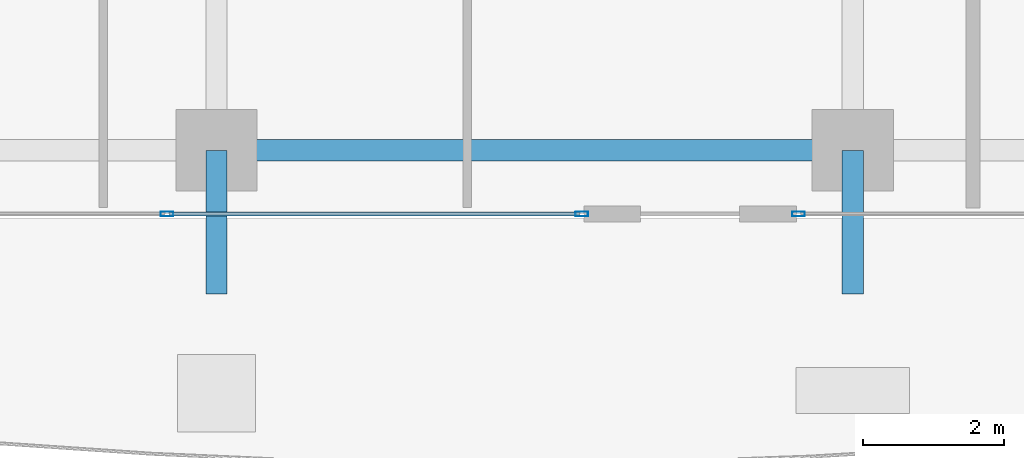
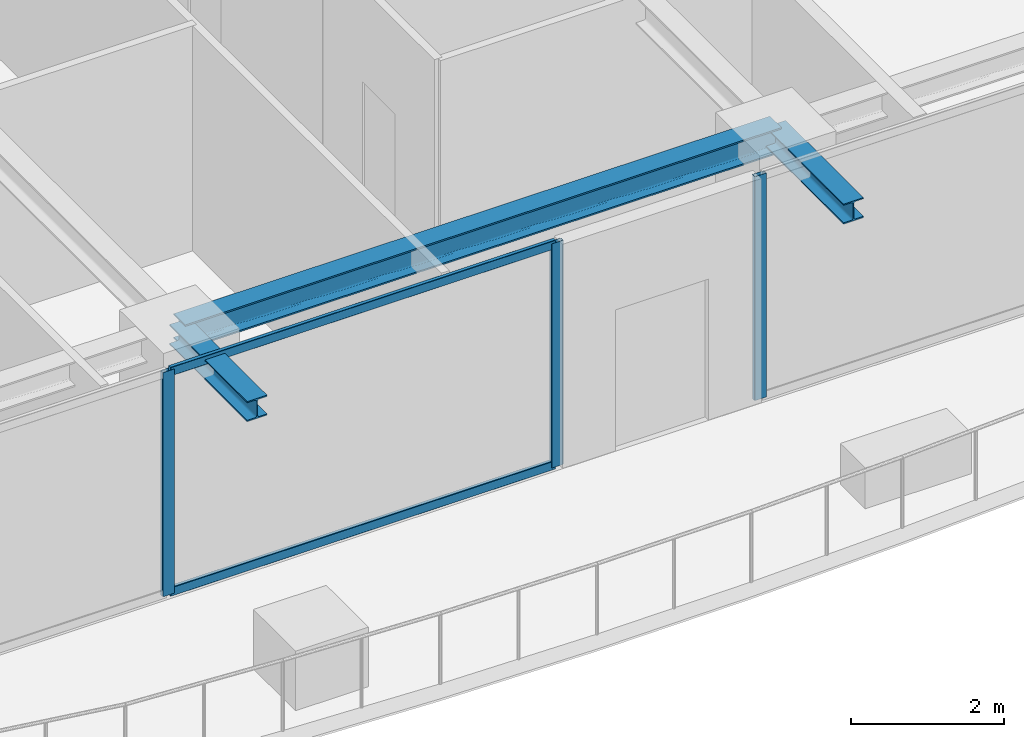
# One storey, part 5 of 38: 5 members, 3 beams, 2 elements without a shape of their own.
"""IFC4 building model written with IfcOpenShell, lengths in metres."""

import ifcopenshell
import ifcopenshell.guid

model = None  # the IFC model being written
_history = None  # IfcOwnerHistory: only IFC2X3 demands one
_inside = {}  # id of a spatial element -> (the spatial element, [elements in it])
_under = {}  # id of a project, library or spatial element -> (it, [spatial elements below it])
_declared = {}  # id of a project -> (the project, [libraries it declares])
_typed = {}  # id of a type object -> (the type object, [elements of that type])
_made_of = {}  # id of a material, layer set ... -> (it, [elements and type objects made of it])


def new_model(schema):
    """Start an empty IFC model of exactly this schema.

    Asked for "IFC4X3", IfcOpenShell would pick the latest addendum, in which some entities
    have other attributes; the version numbers below select the first issue.
    IFC2X3 requires an IfcOwnerHistory on every rooted entity: one is made here for all.
    """
    global model, _history
    if schema == "IFC4X3":
        model = ifcopenshell.file(schema_version=(4, 3, 0, 0))
    else:
        model = ifcopenshell.file(schema=schema)
    _inside.clear()
    _under.clear()
    _declared.clear()
    _typed.clear()
    _made_of.clear()
    _history = None
    if model.schema == "IFC2X3":
        org = make("IfcOrganization", Name="unknown")
        user = make(
            "IfcPersonAndOrganization",
            ThePerson=make("IfcPerson", FamilyName="unknown"),
            TheOrganization=org,
        )
        app = make(
            "IfcApplication",
            ApplicationDeveloper=org,
            Version="unknown",
            ApplicationFullName="unknown",
            ApplicationIdentifier="unknown",
        )
        _history = make(
            "IfcOwnerHistory",
            OwningUser=user,
            OwningApplication=app,
            ChangeAction="ADDED",
            CreationDate=0,
        )
    return model


def make(cls, **values):
    """One entity of the class cls with the attributes given. An attribute that is None is left unset."""
    return model.create_entity(
        cls, **{name: value for name, value in values.items() if value is not None}
    )


def rooted(cls, **values):
    """An entity with a GlobalId (a new one), such as an element, a storey or a relation."""
    return make(cls, GlobalId=ifcopenshell.guid.new(), OwnerHistory=_history, **values)


def si_unit(unit_type, name, prefix=None):
    """IfcSIUnit, for example si_unit("LENGTHUNIT", "METRE", prefix="MILLI")."""
    return make("IfcSIUnit", UnitType=unit_type, Prefix=prefix, Name=name)


def assignment(units):
    """IfcUnitAssignment: the units of a project."""
    return None if units is None else make("IfcUnitAssignment", Units=units)


def point(xyz):
    """IfcCartesianPoint."""
    return None if xyz is None else make("IfcCartesianPoint", Coordinates=xyz)


def direction(xyz):
    """IfcDirection."""
    return None if xyz is None else make("IfcDirection", DirectionRatios=xyz)


def frame(location, z_axis=None, x_axis=None):
    """IfcAxis2Placement3D, a coordinate frame: its origin and axes. An axis left out is left unset."""
    return make(
        "IfcAxis2Placement3D",
        Location=point(location),
        Axis=direction(z_axis),
        RefDirection=direction(x_axis),
    )


def frame_2d(location, x_axis=None):
    """IfcAxis2Placement2D, a coordinate frame in the plane: its origin and x axis."""
    return make(
        "IfcAxis2Placement2D", Location=point(location), RefDirection=direction(x_axis)
    )


def origin():
    """The frame at (0, 0, 0) with its axes left unset."""
    return frame((0.0, 0.0, 0.0))


def origin_2d():
    """The frame at (0, 0) in the plane with its x axis left unset."""
    return frame_2d((0.0, 0.0))


def place(relative_to, where):
    """IfcLocalPlacement: puts the frame where relative to a parent placement (None: the world)."""
    return make(
        "IfcLocalPlacement", PlacementRelTo=relative_to, RelativePlacement=where
    )


def context(
    kind, dimensions, precision=None, world=None, true_north=None, identifier=None
):
    """IfcGeometricRepresentationContext, for example the 3D "Model" context."""
    return make(
        "IfcGeometricRepresentationContext",
        ContextIdentifier=identifier,
        ContextType=kind,
        CoordinateSpaceDimension=dimensions,
        Precision=precision,
        WorldCoordinateSystem=world,
        TrueNorth=true_north,
    )


def subcontext(parent, identifier, kind, view, scale=None):
    """IfcGeometricRepresentationSubContext, for example "Body" below "Model"."""
    return make(
        "IfcGeometricRepresentationSubContext",
        ContextIdentifier=identifier,
        ContextType=kind,
        ParentContext=parent,
        TargetScale=scale,
        TargetView=view,
    )


def project(units=None, contexts=None):
    """IfcProject with its units and contexts."""
    return rooted(
        "IfcProject",
        Name="project",
        RepresentationContexts=contexts,
        UnitsInContext=assignment(units),
    )


def spatial(cls, under=None, at=None, **own):
    """A site, building, storey or space (cls), placed at a placement, below another one or the project."""
    s = rooted(cls, ObjectPlacement=at, **own)
    if under is not None:
        _under.setdefault(under.id(), (under, []))[1].append(s)
    return s


def profile(cls, at=None, kind="AREA", **sizes):
    """A parametric profile (cls). Its sizes go by their IFC names, for example OverallWidth=200.0."""
    return make(cls, ProfileType=kind, Position=at, **sizes)


def hollow_rectangle(**sizes):
    """IfcRectangleHollowProfileDef."""
    return profile("IfcRectangleHollowProfileDef", **sizes)


def i_section(**sizes):
    """IfcIShapeProfileDef."""
    return profile("IfcIShapeProfileDef", **sizes)


def extrude(swept, where, along, depth):
    """IfcExtrudedAreaSolid: the profile swept, set in the frame where, extruded along a direction by depth."""
    return make(
        "IfcExtrudedAreaSolid",
        SweptArea=swept,
        Position=where,
        ExtrudedDirection=direction(along),
        Depth=depth,
    )


def shape(context_of_items, identifier, shape_type, items):
    """IfcShapeRepresentation: the items that make up one representation, for example the "Body"."""
    return make(
        "IfcShapeRepresentation",
        ContextOfItems=context_of_items,
        RepresentationIdentifier=identifier,
        RepresentationType=shape_type,
        Items=items,
    )


def source(mapping_origin, context_of_items, identifier, shape_type, items):
    """IfcRepresentationMap: a shape defined once, which mapped items show again and again."""
    return make(
        "IfcRepresentationMap",
        MappingOrigin=mapping_origin,
        MappedRepresentation=shape(context_of_items, identifier, shape_type, items),
    )


def transform(
    local_origin,
    x_axis=None,
    y_axis=None,
    z_axis=None,
    scale=None,
    scale2=None,
    scale3=None,
    uniform=True,
):
    """IfcCartesianTransformationOperator3D, or its non-uniform kind. x_axis, y_axis, z_axis: its Axis1, 2, 3."""
    if uniform:
        return make(
            "IfcCartesianTransformationOperator3D",
            Axis1=direction(x_axis),
            Axis2=direction(y_axis),
            LocalOrigin=point(local_origin),
            Scale=scale,
            Axis3=direction(z_axis),
        )
    return make(
        "IfcCartesianTransformationOperator3DnonUniform",
        Axis1=direction(x_axis),
        Axis2=direction(y_axis),
        LocalOrigin=point(local_origin),
        Scale=scale,
        Axis3=direction(z_axis),
        Scale2=scale2,
        Scale3=scale3,
    )


def mapped(mapping_source, mapping_target):
    """IfcMappedItem: shows the shape of a source again, moved by a transform."""
    return make(
        "IfcMappedItem", MappingSource=mapping_source, MappingTarget=mapping_target
    )


def material(Name=None, Category=None):
    """IfcMaterial."""
    return make("IfcMaterial", Name=Name, Category=Category)


def layer(
    of_material, thickness, ventilated=None, Name=None, Category=None, Priority=None
):
    """IfcMaterialLayer: one layer of a wall or slab, of a material (None: an air gap)."""
    return make(
        "IfcMaterialLayer",
        Material=of_material,
        LayerThickness=thickness,
        IsVentilated=ventilated,
        Name=Name,
        Category=Category,
        Priority=Priority,
    )


def layer_set(layers, Name=None):
    """IfcMaterialLayerSet."""
    return make("IfcMaterialLayerSet", MaterialLayers=layers, LayerSetName=Name)


def material_profile(
    of_material, cross_section, Name=None, Category=None, Priority=None
):
    """IfcMaterialProfile: a cross section and its material."""
    return make(
        "IfcMaterialProfile",
        Name=Name,
        Material=of_material,
        Profile=cross_section,
        Priority=Priority,
        Category=Category,
    )


def profile_set(profiles, Name=None, composite=None):
    """IfcMaterialProfileSet."""
    return make(
        "IfcMaterialProfileSet",
        Name=Name,
        MaterialProfiles=profiles,
        CompositeProfile=composite,
    )


def made_of(thing, what):
    """Note that an element or type object is made of a material, layer set ...; save() writes the relation."""
    if what is not None:
        _made_of.setdefault(what.id(), (what, []))[1].append(thing)
    return thing


def type_object(cls, material=None, **own):
    """A type object (cls), such as IfcWallType, which elements share."""
    return made_of(rooted(cls, **own), material)


def element(
    cls,
    number,
    at=None,
    inside=None,
    cuts=None,
    type_object=None,
    material=None,
    context=None,
    identifier="Body",
    shape_type=None,
    held_by="IfcProductDefinitionShape",
    body=None,
    shapes=None,
    **own,
):
    """One element of the class cls, such as IfcWall. Its Tag is "e" and its number.

    at: its placement. inside: the storey or other place that contains it. cuts: it is an
    opening in that element (IfcRelVoidsElement). A single representation is given by context,
    identifier, shape_type and body (its items); several are given by shapes. held_by: the class
    of the entity that holds the representations. save() writes the other relations.
    """
    e = rooted(cls, Tag="e%d" % number, ObjectPlacement=at, **own)
    if body is not None:
        shapes = [shape(context, identifier, shape_type, body)]
    if shapes is not None:
        e.Representation = make(held_by, Representations=shapes)
    if inside is not None:
        _inside.setdefault(inside.id(), (inside, []))[1].append(e)
    if cuts is not None:
        rooted(
            "IfcRelVoidsElement", RelatingBuildingElement=cuts, RelatedOpeningElement=e
        )
    if type_object is not None:
        _typed.setdefault(type_object.id(), (type_object, []))[1].append(e)
    return made_of(e, material)


def aggregate(whole, parts):
    """IfcRelAggregates: a whole, such as a stair, and the parts it consists of."""
    return rooted("IfcRelAggregates", RelatingObject=whole, RelatedObjects=parts)


def save(model, path):
    """Write the relations noted so far, then the file.

    IfcRelAggregates (storeys below a building ...), IfcRelContainedInSpatialStructure (elements
    in a storey), IfcRelDefinesByType, IfcRelAssociatesMaterial and IfcRelDeclares: one each for
    every whole, place, type object, material and project.
    """
    for whole, parts in _under.values():
        aggregate(whole, parts)
    for where, things in _inside.values():
        rooted(
            "IfcRelContainedInSpatialStructure",
            RelatedElements=things,
            RelatingStructure=where,
        )
    for kind, things in _typed.values():
        rooted("IfcRelDefinesByType", RelatedObjects=things, RelatingType=kind)
    for what, things in _made_of.values():
        rooted("IfcRelAssociatesMaterial", RelatedObjects=things, RelatingMaterial=what)
    for by, libraries in _declared.values():
        rooted("IfcRelDeclares", RelatingContext=by, RelatedDefinitions=libraries)
    model.write(path)


model = new_model("IFC4")

# Units and contexts
model_context = context("Model", 3, precision=1e-05, world=origin(), true_north=direction((0.0, 1.0)))
body_context = subcontext(model_context, "Body", "Model", "MODEL_VIEW")
ifc_project = project(units=[si_unit("LENGTHUNIT", "METRE"), si_unit("AREAUNIT", "SQUARE_METRE"), si_unit("VOLUMEUNIT", "CUBIC_METRE"), si_unit("PLANEANGLEUNIT", "RADIAN"), si_unit("MASSUNIT", "GRAM", prefix="KILO")], contexts=[model_context])

# Site, building, storey
site_placement = place(None, origin())
site = spatial("IfcSite", under=ifc_project, at=site_placement, CompositionType="ELEMENT")
building_placement = place(site_placement, origin())
building = spatial("IfcBuilding", under=site, at=building_placement, Name="Serunith Strait Residences", CompositionType="ELEMENT")
storey_placement = place(building_placement, frame((0.0, 0.0, 245.10009765625)))
storey = spatial("IfcBuildingStorey", under=building, at=storey_placement, Name="L61", CompositionType="ELEMENT", Elevation=245.10009765625)

# Beams
ifc_material_1 = material(Name="Steel S355J2", Category="steel")
ifc_material_profile_1 = material_profile(ifc_material_1, i_section(OverallWidth=0.300048828125, OverallDepth=0.39990234375, WebThickness=0.013427734375, FlangeThickness=0.02392578125, FilletRadius=0.027099609375, at=origin_2d()), Name="HEB 400")
ifc_profile_set_1 = profile_set([ifc_material_profile_1], Name="Steel S355J2")
beam_type_1 = type_object("IfcBeamType", Name="BM-HEB400", PredefinedType="BEAM", material=ifc_profile_set_1)
shared_shape_1 = source(origin(), body_context, "Body", "SweptSolid", [
    extrude(i_section(OverallWidth=0.300048828125, OverallDepth=0.39990234375, WebThickness=0.013427734375, FlangeThickness=0.02392578125, FilletRadius=0.027099609375, at=origin_2d()), origin(), (0.0, 0.0, 1.0), 9.0),
])
beam_placement = place(storey_placement, frame((27.89990234375, 2.10009765625, 3.386962890625), z_axis=(1.0, 0.0, 0.0), x_axis=(0.0, 1.0, 0.0)))
element("IfcBeam", 1, at=beam_placement, inside=storey, type_object=beam_type_1, Name="L61 Perimeter Ring Beam 02", PredefinedType="BEAM", context=body_context, shape_type="MappedRepresentation", body=[
    mapped(shared_shape_1, transform((0.0, 0.0, 0.0), scale=1.0)),
])
ifc_material_profile_2 = material_profile(ifc_material_1, i_section(OverallWidth=0.300048828125, OverallDepth=0.320068359375, WebThickness=0.011474609375, FlangeThickness=0.0205078125, FilletRadius=0.027099609375, at=origin_2d()), Name="HEB 320")
ifc_profile_set_2 = profile_set([ifc_material_profile_2], Name="Steel S355J2")
beam_type_2 = type_object("IfcBeamType", Name="BM-HEB320", PredefinedType="BEAM", material=ifc_profile_set_2)
shared_shape_2 = source(origin(), body_context, "Body", "SweptSolid", [
    extrude(i_section(OverallWidth=0.300048828125, OverallDepth=0.320068359375, WebThickness=0.011474609375, FlangeThickness=0.0205078125, FilletRadius=0.027099609375, at=origin_2d()), origin(), (0.0, 0.0, 1.0), 2.030029296875),
])
for number, where, z_axis, x_axis, name in (
    (2, (27.89990234375, 2.10009765625, 3.39697265625), (0.0, -1.0, 0.0), (1.0, 0.0, 0.0), "L62 Cantilevered Balcony Rib TC-S2"),
    (3, (36.89990234375, 2.10009765625, 3.39697265625), (0.0, -1.0, 0.0), (1.0, 0.0, 0.0), "L62 Cantilevered Balcony Rib TC-S3"),
):
    element("IfcBeam", number, at=place(storey_placement, frame(where, z_axis=z_axis, x_axis=x_axis)), inside=storey, type_object=beam_type_2, Name=name, PredefinedType="BEAM", context=body_context, shape_type="MappedRepresentation", body=[
        mapped(shared_shape_2, transform((0.0, 0.0, 0.0), scale=1.0)),
    ])

# Curtain wall, members
ifc_material_2 = material(Name="Pale-Champagne Anodised Aluminium", Category="aluminium")
ifc_layer = layer(ifc_material_2, 0.199951171875, Name="Pale-Champagne Anodised Aluminium")
ifc_layer_set = layer_set([ifc_layer], Name="Pale-Champagne Anodised Aluminium")
curtain_wall_type = type_object("IfcCurtainWallType", Name="CW-SYS4", PredefinedType="NOTDEFINED", material=ifc_layer_set)
curtain_wall_1_placement = place(storey_placement, origin())
curtain_wall_1 = element("IfcCurtainWall", 4, at=curtain_wall_1_placement, inside=storey, type_object=curtain_wall_type, Name="L61 S Unitised Fritted Curtain Wall", PredefinedType="NOTDEFINED")
ifc_material_profile_3 = material_profile(ifc_material_2, hollow_rectangle(XDim=0.06494140625, YDim=0.179931640625, WallThickness=0.00341796875, InnerFilletRadius=0.00537109375, OuterFilletRadius=0.0087890625, at=origin_2d()), Name="ALU 180x65x3.5")
ifc_profile_set_3 = profile_set([ifc_material_profile_3], Name="Pale-Champagne Anodised Aluminium")
member_type_1 = type_object("IfcMemberType", Name="CW-SYS4-MULL", PredefinedType="MULLION", material=ifc_profile_set_3)
shared_shape_3 = source(origin(), body_context, "Body", "SweptSolid", [
    extrude(hollow_rectangle(XDim=0.06494140625, YDim=0.179931640625, WallThickness=0.00341796875, InnerFilletRadius=0.00537109375, OuterFilletRadius=0.0087890625, at=origin_2d()), origin(), (0.0, 0.0, 1.0), 3.574951171875),
])
member_1_placement = place(storey_placement, frame((27.199951171875, 1.199951171875, 0.0), z_axis=(0.0, 0.0, 1.0), x_axis=(0.0, 1.0, 0.0)))
member_1 = element("IfcMember", 5, at=member_1_placement, type_object=member_type_1, Name="CW-4 mullion 3", PredefinedType="MULLION", context=body_context, shape_type="MappedRepresentation", body=[
    mapped(shared_shape_3, transform((0.0, 0.0, 0.0), scale=1.0)),
])
member_2_placement = place(storey_placement, frame((33.0673828125, 1.199951171875, 0.0), z_axis=(0.0, 0.0, 1.0), x_axis=(0.0, 1.0, 0.0)))
member_2 = element("IfcMember", 6, at=member_2_placement, type_object=member_type_1, Name="CW-4 mullion 4", PredefinedType="MULLION", context=body_context, shape_type="MappedRepresentation", body=[
    mapped(shared_shape_3, transform((0.0, 0.0, 0.0), scale=1.0)),
])

# Curtain wall, member
curtain_wall_2_placement = place(storey_placement, origin())
curtain_wall_2 = element("IfcCurtainWall", 7, at=curtain_wall_2_placement, inside=storey, type_object=curtain_wall_type, Name="L61 S Unitised Fritted Curtain Wall", PredefinedType="NOTDEFINED")
member_3_placement = place(storey_placement, frame((36.132568359375, 1.199951171875, 0.0), z_axis=(0.0, 0.0, 1.0), x_axis=(0.0, 1.0, 0.0)))
member_3 = element("IfcMember", 8, at=member_3_placement, type_object=member_type_1, Name="CW-4 mullion 1", PredefinedType="MULLION", context=body_context, shape_type="MappedRepresentation", body=[
    mapped(shared_shape_3, transform((0.0, 0.0, 0.0), scale=1.0)),
])
aggregate(curtain_wall_2, [member_3])

# Member
ifc_material_profile_4 = material_profile(ifc_material_2, hollow_rectangle(XDim=0.06005859375, YDim=0.139892578125, WallThickness=0.00341796875, InnerFilletRadius=0.00537109375, OuterFilletRadius=0.0087890625, at=origin_2d()), Name="ALU 140x60x3.5")
ifc_profile_set_4 = profile_set([ifc_material_profile_4], Name="Pale-Champagne Anodised Aluminium")
member_type_2 = type_object("IfcMemberType", Name="CW-SYS4-TRAN", PredefinedType="USERDEFINED", material=ifc_profile_set_4)
shared_shape_4 = source(origin(), body_context, "Body", "SweptSolid", [
    extrude(hollow_rectangle(XDim=0.06005859375, YDim=0.139892578125, WallThickness=0.00341796875, InnerFilletRadius=0.00537109375, OuterFilletRadius=0.0087890625, at=origin_2d()), origin(), (0.0, 0.0, 1.0), 5.802490234375),
])
member_4_placement = place(storey_placement, frame((27.232421875, 1.199951171875, 0.02978515625), z_axis=(1.0, 0.0, 0.0), x_axis=(0.0, 1.0, 0.0)))
member_4 = element("IfcMember", 9, at=member_4_placement, type_object=member_type_2, Name="CW-4 transom 3.1", ObjectType="TRANSOM", PredefinedType="USERDEFINED", context=body_context, shape_type="MappedRepresentation", body=[
    mapped(shared_shape_4, transform((0.0, 0.0, 0.0), scale=1.0)),
])

member_5_placement = place(storey_placement, frame((27.232421875, 1.199951171875, 3.544921875), z_axis=(1.0, 0.0, 0.0), x_axis=(0.0, 1.0, 0.0)))
member_5 = element("IfcMember", 10, at=member_5_placement, type_object=member_type_2, Name="CW-4 transom 3.2", ObjectType="TRANSOM", PredefinedType="USERDEFINED", context=body_context, shape_type="MappedRepresentation", body=[
    mapped(shared_shape_4, transform((0.0, 0.0, 0.0), scale=1.0)),
])

aggregate(curtain_wall_1, [member_1, member_2, member_4, member_5])

save(model, "model.ifc")
